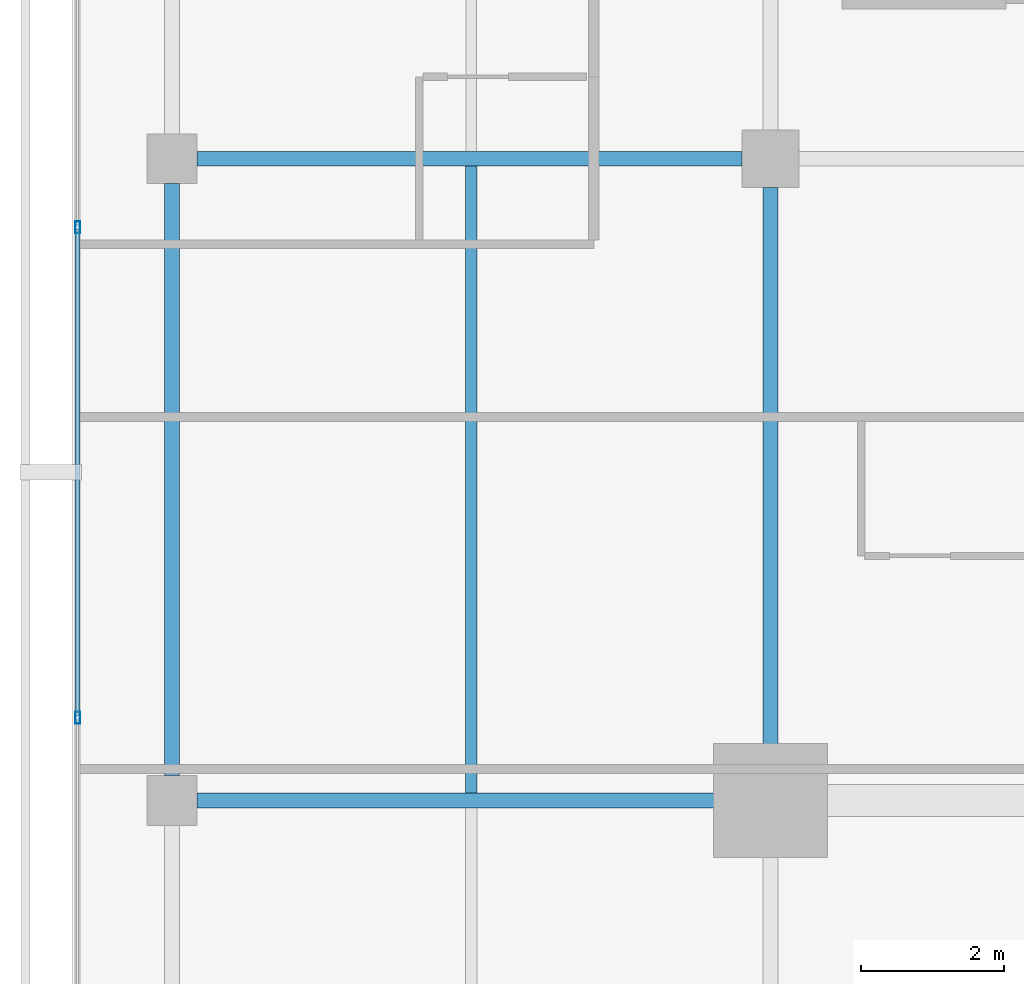
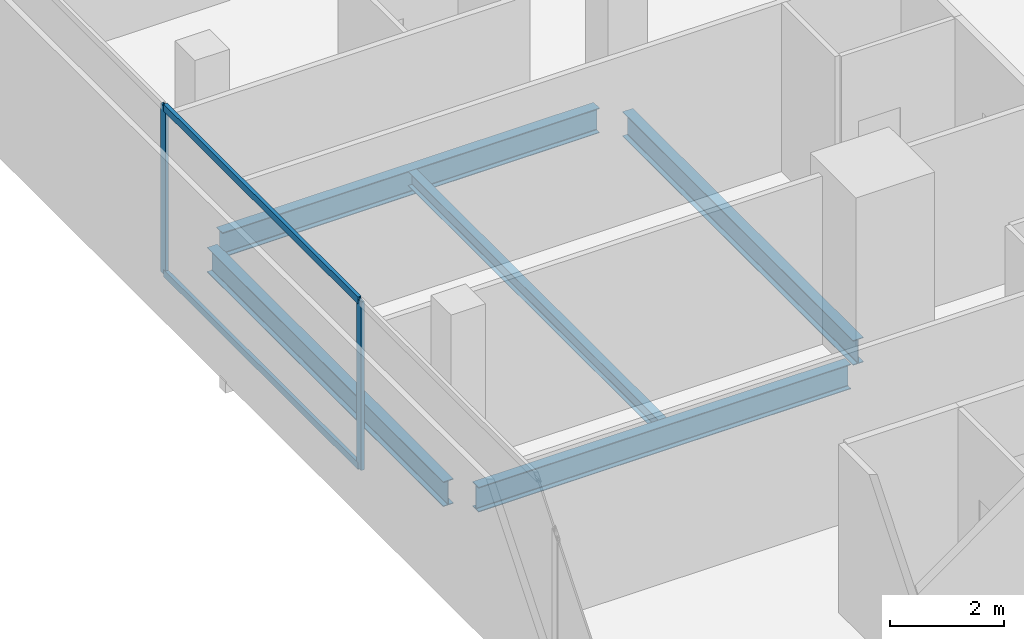
# One storey, part 8 of 26: 5 beams, 4 members, 1 element without a shape of its own.
"""IFC4 building model written with IfcOpenShell, lengths in metres."""

from ifc_helpers import new_model, si_unit, direction, frame, origin, origin_2d, place, context, subcontext, project, spatial, hollow_rectangle, i_section, extrude, material, layer, layer_set, material_profile, profile_set, type_object, element, aggregate, save


model = new_model("IFC4")

# Units and contexts
model_context = context("Model", 3, precision=1e-05, world=origin(), true_north=direction((0.0, 1.0)))
body_context = subcontext(model_context, "Body", "Model", "MODEL_VIEW")
ifc_project = project(units=[si_unit("LENGTHUNIT", "METRE"), si_unit("AREAUNIT", "SQUARE_METRE"), si_unit("VOLUMEUNIT", "CUBIC_METRE"), si_unit("PLANEANGLEUNIT", "RADIAN"), si_unit("MASSUNIT", "GRAM", prefix="KILO")], contexts=[model_context])

# Site, building, storey
site_placement = place(None, origin())
site = spatial("IfcSite", under=ifc_project, at=site_placement, CompositionType="ELEMENT")
building_placement = place(site_placement, origin())
building = spatial("IfcBuilding", under=site, at=building_placement, Name="Maruvema Waterfront Hotel and Observation Tower", CompositionType="ELEMENT")
storey_placement = place(building_placement, frame((0.0, 0.0, 258.64990234375)))
storey = spatial("IfcBuildingStorey", under=building, at=storey_placement, Name="L63", CompositionType="ELEMENT", Elevation=258.64990234375)

# Curtain wall, members
ifc_material_1 = material(Name="Anodised bronze aluminium and solar-control low-E IGU", Category="aluminium")
ifc_layer = layer(ifc_material_1, 0.159912109375, Name="Zone 3 Champagne Inner Thermal Curtain Wall System CW-04")
ifc_layer_set = layer_set([ifc_layer], Name="Anodised bronze aluminium and solar-control low-E IGU")
curtain_wall_type = type_object("IfcCurtainWallType", Name="Zone 3 Champagne Inner Thermal Curtain Wall System CW-04", PredefinedType="USERDEFINED", material=ifc_layer_set)
curtain_wall_placement = place(storey_placement, origin())
curtain_wall = element("IfcCurtainWall", 1, at=curtain_wall_placement, inside=storey, type_object=curtain_wall_type, Name="L63 Curtain Wall CW-L63-W", ObjectType="UNITISED CURTAIN WALL", PredefinedType="USERDEFINED")
ifc_material_2 = material(Name="Anodised architectural bronze aluminium", Category="aluminium")
ifc_material_profile_1 = material_profile(ifc_material_2, hollow_rectangle(XDim=0.070068359375, YDim=0.14990234375, WallThickness=0.00390625, at=origin_2d()), Name="ALU-T70x150")
ifc_profile_set_1 = profile_set([ifc_material_profile_1], Name="Anodised architectural bronze aluminium")
member_type_1 = type_object("IfcMemberType", Name="Curtain Wall Horizontal Transom ALU-T70x150", PredefinedType="USERDEFINED", material=ifc_profile_set_1)
member_1_placement = place(storey_placement, frame((15.47998046875, 35.010009765625, 0.030029296875), z_axis=(0.0, -1.0, 0.0), x_axis=(1.0, 0.0, 0.0)))
member_1 = element("IfcMember", 2, at=member_1_placement, type_object=member_type_1, Name="CW-04 transom 3.1", ObjectType="TRANSOM", PredefinedType="USERDEFINED", context=body_context, shape_type="SweptSolid", body=[
    extrude(hollow_rectangle(XDim=0.070068359375, YDim=0.14990234375, WallThickness=0.00390625, at=origin_2d()), origin(), (0.0, 0.0, 1.0), 6.820068359375),
])
member_2_placement = place(storey_placement, frame((15.47998046875, 35.010009765625, 3.580078125), z_axis=(0.0, -1.0, 0.0), x_axis=(1.0, 0.0, 0.0)))
member_2 = element("IfcMember", 3, at=member_2_placement, type_object=member_type_1, Name="CW-04 transom 3.2", ObjectType="TRANSOM", PredefinedType="USERDEFINED", context=body_context, shape_type="SweptSolid", body=[
    extrude(hollow_rectangle(XDim=0.070068359375, YDim=0.14990234375, WallThickness=0.00390625, at=origin_2d()), origin(), (0.0, 0.0, 1.0), 6.820068359375),
])
ifc_material_3 = material(Name="Anodised architectural bronze aluminium", Category="aluminium")
ifc_material_profile_2 = material_profile(ifc_material_3, hollow_rectangle(XDim=0.06494140625, YDim=0.1650390625, WallThickness=0.00390625, at=origin_2d()), Name="ALU-M65x165")
ifc_profile_set_2 = profile_set([ifc_material_profile_2], Name="Anodised architectural bronze aluminium")
member_type_2 = type_object("IfcMemberType", Name="Curtain Wall Primary Mullion ALU-M65x165", PredefinedType="MULLION", material=ifc_profile_set_2)
member_3_placement = place(storey_placement, frame((15.47998046875, 35.0400390625, 0.0), z_axis=(0.0, 0.0, 1.0), x_axis=(1.0, 0.0, 0.0)))
member_3 = element("IfcMember", 4, at=member_3_placement, type_object=member_type_2, Name="CW-04 mullion 3", PredefinedType="MULLION", context=body_context, shape_type="SweptSolid", body=[
    extrude(hollow_rectangle(XDim=0.06494140625, YDim=0.1650390625, WallThickness=0.00390625, at=origin_2d()), origin(), (0.0, 0.0, 1.0), 3.610107421875),
])
member_4_placement = place(storey_placement, frame((15.47998046875, 28.159912109375, 0.0), z_axis=(0.0, 0.0, 1.0), x_axis=(1.0, 0.0, 0.0)))
member_4 = element("IfcMember", 5, at=member_4_placement, type_object=member_type_2, Name="CW-04 mullion 4", PredefinedType="MULLION", context=body_context, shape_type="SweptSolid", body=[
    extrude(hollow_rectangle(XDim=0.06494140625, YDim=0.1650390625, WallThickness=0.00390625, at=origin_2d()), origin(), (0.0, 0.0, 1.0), 3.610107421875),
])
aggregate(curtain_wall, [member_3, member_4, member_1, member_2])

# Beams
ifc_material_4 = material(Name="Steel ASTM A572 Grade 50", Category="steel")
ifc_material_profile_3 = material_profile(ifc_material_4, i_section(OverallWidth=0.208984375, OverallDepth=0.532958984375, WebThickness=0.01025390625, FlangeThickness=0.015625, FilletRadius=0.014892578125, at=origin_2d()), Name="W530x92.0")
ifc_profile_set_3 = profile_set([ifc_material_profile_3], Name="Steel ASTM A572 Grade 50")
beam_type_1 = type_object("IfcBeamType", Name="Primary Floor Girder W530x92.0", PredefinedType="BEAM", material=ifc_profile_set_3)
beam_1_placement = place(storey_placement, frame((17.14990234375, 27.0, -0.50634765625), z_axis=(1.0, 0.0, 0.0), x_axis=(0.0, 1.0, 0.0)))
element("IfcBeam", 6, at=beam_1_placement, inside=storey, type_object=beam_type_1, Name="L63 Floor Girder EW-09", PredefinedType="BEAM", context=body_context, shape_type="SweptSolid", body=[
    extrude(i_section(OverallWidth=0.208984375, OverallDepth=0.532958984375, WebThickness=0.01025390625, FlangeThickness=0.015625, FilletRadius=0.014892578125, at=origin_2d()), origin(), (0.0, 0.0, 1.0), 7.550048828125),
])
beam_2_placement = place(storey_placement, frame((17.14990234375, 36.0, -0.50634765625), z_axis=(1.0, 0.0, 0.0), x_axis=(0.0, 1.0, 0.0)))
element("IfcBeam", 7, at=beam_2_placement, inside=storey, type_object=beam_type_1, Name="L63 Floor Girder EW-12", PredefinedType="BEAM", context=body_context, shape_type="SweptSolid", body=[
    extrude(i_section(OverallWidth=0.208984375, OverallDepth=0.532958984375, WebThickness=0.01025390625, FlangeThickness=0.015625, FilletRadius=0.014892578125, at=origin_2d()), origin(), (0.0, 0.0, 1.0), 7.650146484375),
])
beam_3_placement = place(storey_placement, frame((16.800048828125, 27.35009765625, -0.50634765625), z_axis=(0.0, 1.0, 0.0), x_axis=(-1.0, 0.0, 0.0)))
element("IfcBeam", 8, at=beam_3_placement, inside=storey, type_object=beam_type_1, Name="L63 Floor Girder NS-02", PredefinedType="BEAM", context=body_context, shape_type="SweptSolid", body=[
    extrude(i_section(OverallWidth=0.208984375, OverallDepth=0.532958984375, WebThickness=0.01025390625, FlangeThickness=0.015625, FilletRadius=0.014892578125, at=origin_2d()), origin(), (0.0, 0.0, 1.0), 8.2998046875),
])
beam_4_placement = place(storey_placement, frame((25.199951171875, 27.5, -0.50634765625), z_axis=(0.0, 1.0, 0.0), x_axis=(-1.0, 0.0, 0.0)))
element("IfcBeam", 9, at=beam_4_placement, inside=storey, type_object=beam_type_1, Name="L63 Floor Girder NS-06", PredefinedType="BEAM", context=body_context, shape_type="SweptSolid", body=[
    extrude(i_section(OverallWidth=0.208984375, OverallDepth=0.532958984375, WebThickness=0.01025390625, FlangeThickness=0.015625, FilletRadius=0.014892578125, at=origin_2d()), origin(), (0.0, 0.0, 1.0), 8.10009765625),
])
ifc_material_5 = material(Name="Steel ASTM A572 Grade 50", Category="steel")
ifc_material_profile_4 = material_profile(ifc_material_5, i_section(OverallWidth=0.1650390625, OverallDepth=0.31005859375, WebThickness=0.005859375, FlangeThickness=0.009765625, FilletRadius=0.012939453125, at=origin_2d()), Name="W310x38.7")
ifc_profile_set_4 = profile_set([ifc_material_profile_4], Name="Steel ASTM A572 Grade 50")
beam_type_2 = type_object("IfcBeamType", Name="Secondary Floor Joist W310x38.7", PredefinedType="JOIST", material=ifc_profile_set_4)
beam_5_placement = place(storey_placement, frame((21.0, 27.1044921875, -0.39501953125), z_axis=(0.0, 1.0, 0.0), x_axis=(-1.0, 0.0, 0.0)))
element("IfcBeam", 10, at=beam_5_placement, inside=storey, type_object=beam_type_2, Name="L63 Secondary Floor Joist JS-02", PredefinedType="JOIST", context=body_context, shape_type="SweptSolid", body=[
    extrude(i_section(OverallWidth=0.1650390625, OverallDepth=0.31005859375, WebThickness=0.005859375, FlangeThickness=0.009765625, FilletRadius=0.012939453125, at=origin_2d()), origin(), (0.0, 0.0, 1.0), 8.791015625),
])

save(model, "model.ifc")
